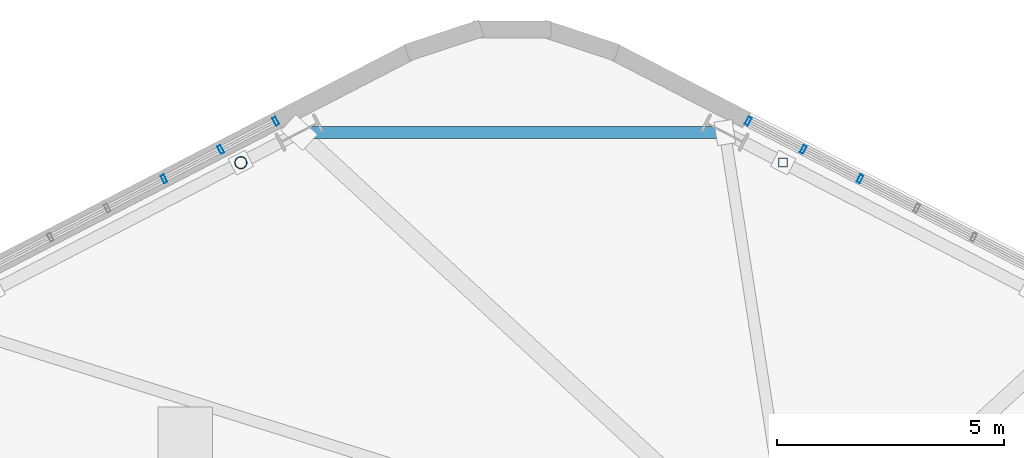
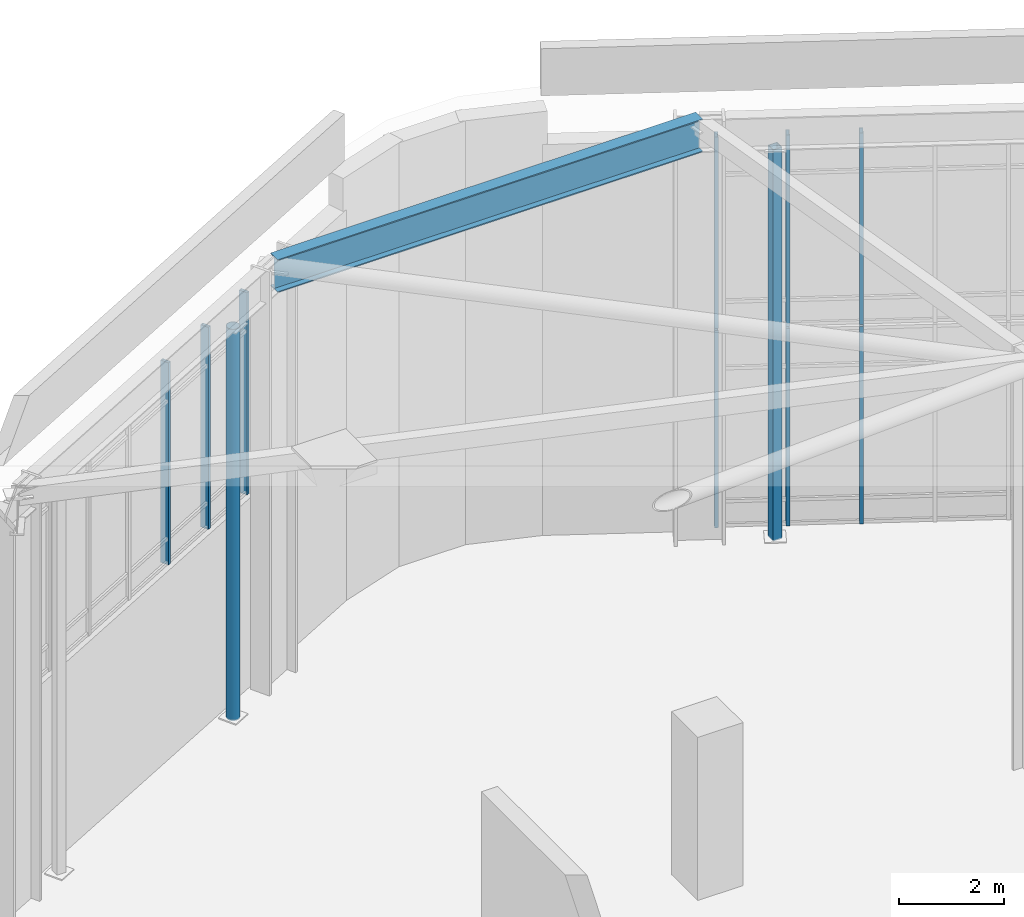
# One storey, part 18 of 23: 11 members, 1 beam, 3 elements without a shape of their own.
"""IFC4 building model written with IfcOpenShell, lengths in metres."""

import ifcopenshell
import ifcopenshell.guid

model = None  # the IFC model being written
_history = None  # IfcOwnerHistory: only IFC2X3 demands one
_inside = {}  # id of a spatial element -> (the spatial element, [elements in it])
_under = {}  # id of a project, library or spatial element -> (it, [spatial elements below it])
_declared = {}  # id of a project -> (the project, [libraries it declares])
_typed = {}  # id of a type object -> (the type object, [elements of that type])
_made_of = {}  # id of a material, layer set ... -> (it, [elements and type objects made of it])


def new_model(schema):
    """Start an empty IFC model of exactly this schema.

    Asked for "IFC4X3", IfcOpenShell would pick the latest addendum, in which some entities
    have other attributes; the version numbers below select the first issue.
    IFC2X3 requires an IfcOwnerHistory on every rooted entity: one is made here for all.
    """
    global model, _history
    if schema == "IFC4X3":
        model = ifcopenshell.file(schema_version=(4, 3, 0, 0))
    else:
        model = ifcopenshell.file(schema=schema)
    _inside.clear()
    _under.clear()
    _declared.clear()
    _typed.clear()
    _made_of.clear()
    _history = None
    if model.schema == "IFC2X3":
        org = make("IfcOrganization", Name="unknown")
        user = make(
            "IfcPersonAndOrganization",
            ThePerson=make("IfcPerson", FamilyName="unknown"),
            TheOrganization=org,
        )
        app = make(
            "IfcApplication",
            ApplicationDeveloper=org,
            Version="unknown",
            ApplicationFullName="unknown",
            ApplicationIdentifier="unknown",
        )
        _history = make(
            "IfcOwnerHistory",
            OwningUser=user,
            OwningApplication=app,
            ChangeAction="ADDED",
            CreationDate=0,
        )
    return model


def make(cls, **values):
    """One entity of the class cls with the attributes given. An attribute that is None is left unset."""
    return model.create_entity(
        cls, **{name: value for name, value in values.items() if value is not None}
    )


def rooted(cls, **values):
    """An entity with a GlobalId (a new one), such as an element, a storey or a relation."""
    return make(cls, GlobalId=ifcopenshell.guid.new(), OwnerHistory=_history, **values)


def si_unit(unit_type, name, prefix=None):
    """IfcSIUnit, for example si_unit("LENGTHUNIT", "METRE", prefix="MILLI")."""
    return make("IfcSIUnit", UnitType=unit_type, Prefix=prefix, Name=name)


def assignment(units):
    """IfcUnitAssignment: the units of a project."""
    return None if units is None else make("IfcUnitAssignment", Units=units)


def point(xyz):
    """IfcCartesianPoint."""
    return None if xyz is None else make("IfcCartesianPoint", Coordinates=xyz)


def direction(xyz):
    """IfcDirection."""
    return None if xyz is None else make("IfcDirection", DirectionRatios=xyz)


def frame(location, z_axis=None, x_axis=None):
    """IfcAxis2Placement3D, a coordinate frame: its origin and axes. An axis left out is left unset."""
    return make(
        "IfcAxis2Placement3D",
        Location=point(location),
        Axis=direction(z_axis),
        RefDirection=direction(x_axis),
    )


def frame_2d(location, x_axis=None):
    """IfcAxis2Placement2D, a coordinate frame in the plane: its origin and x axis."""
    return make(
        "IfcAxis2Placement2D", Location=point(location), RefDirection=direction(x_axis)
    )


def origin():
    """The frame at (0, 0, 0) with its axes left unset."""
    return frame((0.0, 0.0, 0.0))


def origin_2d():
    """The frame at (0, 0) in the plane with its x axis left unset."""
    return frame_2d((0.0, 0.0))


def place(relative_to, where):
    """IfcLocalPlacement: puts the frame where relative to a parent placement (None: the world)."""
    return make(
        "IfcLocalPlacement", PlacementRelTo=relative_to, RelativePlacement=where
    )


def context(
    kind, dimensions, precision=None, world=None, true_north=None, identifier=None
):
    """IfcGeometricRepresentationContext, for example the 3D "Model" context."""
    return make(
        "IfcGeometricRepresentationContext",
        ContextIdentifier=identifier,
        ContextType=kind,
        CoordinateSpaceDimension=dimensions,
        Precision=precision,
        WorldCoordinateSystem=world,
        TrueNorth=true_north,
    )


def subcontext(parent, identifier, kind, view, scale=None):
    """IfcGeometricRepresentationSubContext, for example "Body" below "Model"."""
    return make(
        "IfcGeometricRepresentationSubContext",
        ContextIdentifier=identifier,
        ContextType=kind,
        ParentContext=parent,
        TargetScale=scale,
        TargetView=view,
    )


def project(units=None, contexts=None):
    """IfcProject with its units and contexts."""
    return rooted(
        "IfcProject",
        Name="project",
        RepresentationContexts=contexts,
        UnitsInContext=assignment(units),
    )


def spatial(cls, under=None, at=None, **own):
    """A site, building, storey or space (cls), placed at a placement, below another one or the project."""
    s = rooted(cls, ObjectPlacement=at, **own)
    if under is not None:
        _under.setdefault(under.id(), (under, []))[1].append(s)
    return s


def profile(cls, at=None, kind="AREA", **sizes):
    """A parametric profile (cls). Its sizes go by their IFC names, for example OverallWidth=200.0."""
    return make(cls, ProfileType=kind, Position=at, **sizes)


def hollow_rectangle(**sizes):
    """IfcRectangleHollowProfileDef."""
    return profile("IfcRectangleHollowProfileDef", **sizes)


def hollow_circle(**sizes):
    """IfcCircleHollowProfileDef."""
    return profile("IfcCircleHollowProfileDef", **sizes)


def i_section(**sizes):
    """IfcIShapeProfileDef."""
    return profile("IfcIShapeProfileDef", **sizes)


def extrude(swept, where, along, depth):
    """IfcExtrudedAreaSolid: the profile swept, set in the frame where, extruded along a direction by depth."""
    return make(
        "IfcExtrudedAreaSolid",
        SweptArea=swept,
        Position=where,
        ExtrudedDirection=direction(along),
        Depth=depth,
    )


def shape(context_of_items, identifier, shape_type, items):
    """IfcShapeRepresentation: the items that make up one representation, for example the "Body"."""
    return make(
        "IfcShapeRepresentation",
        ContextOfItems=context_of_items,
        RepresentationIdentifier=identifier,
        RepresentationType=shape_type,
        Items=items,
    )


def material(Name=None, Category=None):
    """IfcMaterial."""
    return make("IfcMaterial", Name=Name, Category=Category)


def layer(
    of_material, thickness, ventilated=None, Name=None, Category=None, Priority=None
):
    """IfcMaterialLayer: one layer of a wall or slab, of a material (None: an air gap)."""
    return make(
        "IfcMaterialLayer",
        Material=of_material,
        LayerThickness=thickness,
        IsVentilated=ventilated,
        Name=Name,
        Category=Category,
        Priority=Priority,
    )


def layer_set(layers, Name=None):
    """IfcMaterialLayerSet."""
    return make("IfcMaterialLayerSet", MaterialLayers=layers, LayerSetName=Name)


def material_profile(
    of_material, cross_section, Name=None, Category=None, Priority=None
):
    """IfcMaterialProfile: a cross section and its material."""
    return make(
        "IfcMaterialProfile",
        Name=Name,
        Material=of_material,
        Profile=cross_section,
        Priority=Priority,
        Category=Category,
    )


def profile_set(profiles, Name=None, composite=None):
    """IfcMaterialProfileSet."""
    return make(
        "IfcMaterialProfileSet",
        Name=Name,
        MaterialProfiles=profiles,
        CompositeProfile=composite,
    )


def made_of(thing, what):
    """Note that an element or type object is made of a material, layer set ...; save() writes the relation."""
    if what is not None:
        _made_of.setdefault(what.id(), (what, []))[1].append(thing)
    return thing


def type_object(cls, material=None, **own):
    """A type object (cls), such as IfcWallType, which elements share."""
    return made_of(rooted(cls, **own), material)


def element(
    cls,
    number,
    at=None,
    inside=None,
    cuts=None,
    type_object=None,
    material=None,
    context=None,
    identifier="Body",
    shape_type=None,
    held_by="IfcProductDefinitionShape",
    body=None,
    shapes=None,
    **own,
):
    """One element of the class cls, such as IfcWall. Its Tag is "e" and its number.

    at: its placement. inside: the storey or other place that contains it. cuts: it is an
    opening in that element (IfcRelVoidsElement). A single representation is given by context,
    identifier, shape_type and body (its items); several are given by shapes. held_by: the class
    of the entity that holds the representations. save() writes the other relations.
    """
    e = rooted(cls, Tag="e%d" % number, ObjectPlacement=at, **own)
    if body is not None:
        shapes = [shape(context, identifier, shape_type, body)]
    if shapes is not None:
        e.Representation = make(held_by, Representations=shapes)
    if inside is not None:
        _inside.setdefault(inside.id(), (inside, []))[1].append(e)
    if cuts is not None:
        rooted(
            "IfcRelVoidsElement", RelatingBuildingElement=cuts, RelatedOpeningElement=e
        )
    if type_object is not None:
        _typed.setdefault(type_object.id(), (type_object, []))[1].append(e)
    return made_of(e, material)


def aggregate(whole, parts):
    """IfcRelAggregates: a whole, such as a stair, and the parts it consists of."""
    return rooted("IfcRelAggregates", RelatingObject=whole, RelatedObjects=parts)


def save(model, path):
    """Write the relations noted so far, then the file.

    IfcRelAggregates (storeys below a building ...), IfcRelContainedInSpatialStructure (elements
    in a storey), IfcRelDefinesByType, IfcRelAssociatesMaterial and IfcRelDeclares: one each for
    every whole, place, type object, material and project.
    """
    for whole, parts in _under.values():
        aggregate(whole, parts)
    for where, things in _inside.values():
        rooted(
            "IfcRelContainedInSpatialStructure",
            RelatedElements=things,
            RelatingStructure=where,
        )
    for kind, things in _typed.values():
        rooted("IfcRelDefinesByType", RelatedObjects=things, RelatingType=kind)
    for what, things in _made_of.values():
        rooted("IfcRelAssociatesMaterial", RelatedObjects=things, RelatingMaterial=what)
    for by, libraries in _declared.values():
        rooted("IfcRelDeclares", RelatingContext=by, RelatedDefinitions=libraries)
    model.write(path)


model = new_model("IFC4")

# Units and contexts
model_context = context("Model", 3, precision=1e-05, world=origin(), true_north=direction((0.0, 1.0)))
body_context = subcontext(model_context, "Body", "Model", "MODEL_VIEW")
ifc_project = project(units=[si_unit("LENGTHUNIT", "METRE"), si_unit("AREAUNIT", "SQUARE_METRE"), si_unit("VOLUMEUNIT", "CUBIC_METRE"), si_unit("PLANEANGLEUNIT", "RADIAN"), si_unit("MASSUNIT", "GRAM", prefix="KILO"), si_unit("THERMODYNAMICTEMPERATUREUNIT", "KELVIN"), si_unit("POWERUNIT", "WATT")], contexts=[model_context])

# Site, building, storey
site_placement = place(None, origin())
site = spatial("IfcSite", under=ifc_project, at=site_placement, CompositionType="ELEMENT")
building_placement = place(site_placement, origin())
building = spatial("IfcBuilding", under=site, at=building_placement, Name="Skarre Station Tower", CompositionType="ELEMENT")
storey_placement = place(building_placement, frame((0.0, 0.0, 291.300048828125)))
storey = spatial("IfcBuildingStorey", under=building, at=storey_placement, Name="RF", CompositionType="ELEMENT", Elevation=291.300048828125)

# Curtain wall, members
ifc_material_1 = material(Name="Thermally Broken Bronze-Anodized Aluminium & Triple Low-E Glass", Category="aluminium")
ifc_layer = layer(ifc_material_1, 0.179931640625, Name="Thermally Broken Bronze-Anodized Aluminium & Triple Low-E Glass")
ifc_layer_set = layer_set([ifc_layer], Name="Thermally Broken Bronze-Anodized Aluminium & Triple Low-E Glass")
curtain_wall_type = type_object("IfcCurtainWallType", Name="Nordic Bronze Crown Lantern Stick Curtain Wall", PredefinedType="NOTDEFINED", material=ifc_layer_set)
curtain_wall_1_placement = place(storey_placement, origin())
curtain_wall_1 = element("IfcCurtainWall", 1, at=curtain_wall_1_placement, inside=storey, type_object=curtain_wall_type, Name="RF Crown Lantern Lower Facet 0 Curtain Wall", PredefinedType="NOTDEFINED")
ifc_material_2 = material(Name="Anodized Aluminium 6063-T6", Category="aluminium")
ifc_material_profile_1 = material_profile(ifc_material_2, hollow_rectangle(XDim=0.074951171875, YDim=0.179931640625, WallThickness=0.00390625, at=origin_2d()), Name="Anodized Aluminium 6063-T6")
ifc_profile_set_1 = profile_set([ifc_material_profile_1], Name="Anodized Aluminium 6063-T6")
member_type_1 = type_object("IfcMemberType", Name="Curtain-Wall Unitised Tower Mullion 180x75", PredefinedType="MULLION", material=ifc_profile_set_1)
member_1_placement = place(storey_placement, frame((38.404052734375, 39.698974609375, 0.0), z_axis=(0.0, 0.0, 1.0), x_axis=(0.888649250269, -0.458587516181, 0.0)))
member_1 = element("IfcMember", 2, at=member_1_placement, type_object=member_type_1, Name="RF Crown Lantern Lower Facet 0 Curtain Wall Mullion 1", PredefinedType="MULLION", context=body_context, shape_type="SweptSolid", body=[
    extrude(hollow_rectangle(XDim=0.074951171875, YDim=0.179931640625, WallThickness=0.00390625, at=origin_2d()), origin(), (0.0, 0.0, 1.0), 4.599853515625),
])
member_2_placement = place(storey_placement, frame((39.618896484375, 39.072021484375, 0.0), z_axis=(0.0, 0.0, 1.0), x_axis=(0.888649250269, -0.458587516181, 0.0)))
member_2 = element("IfcMember", 3, at=member_2_placement, type_object=member_type_1, Name="RF Crown Lantern Lower Facet 0 Curtain Wall Mullion 2", PredefinedType="MULLION", context=body_context, shape_type="SweptSolid", body=[
    extrude(hollow_rectangle(XDim=0.074951171875, YDim=0.179931640625, WallThickness=0.00390625, at=origin_2d()), origin(), (0.0, 0.0, 1.0), 4.599853515625),
])
member_3_placement = place(storey_placement, frame((40.868896484375, 38.426025390625, 0.0), z_axis=(0.0, 0.0, 1.0), x_axis=(0.888649250269, -0.458587516181, 0.0)))
member_3 = element("IfcMember", 4, at=member_3_placement, type_object=member_type_1, Name="RF Crown Lantern Lower Facet 0 Curtain Wall Mullion 3", PredefinedType="MULLION", context=body_context, shape_type="SweptSolid", body=[
    extrude(hollow_rectangle(XDim=0.074951171875, YDim=0.179931640625, WallThickness=0.00390625, at=origin_2d()), origin(), (0.0, 0.0, 1.0), 4.599853515625),
])
aggregate(curtain_wall_1, [member_1, member_2, member_3])

curtain_wall_2_placement = place(storey_placement, origin())
curtain_wall_2 = element("IfcCurtainWall", 5, at=curtain_wall_2_placement, inside=storey, type_object=curtain_wall_type, Name="RF Crown Lantern Upper Facet 0 Curtain Wall", PredefinedType="NOTDEFINED")
member_4_placement = place(storey_placement, frame((38.404052734375, 39.698974609375, 4.64990234375), z_axis=(0.0, 0.0, 1.0), x_axis=(0.888649250269, -0.458587516181, 0.0)))
member_4 = element("IfcMember", 6, at=member_4_placement, type_object=member_type_1, Name="RF Crown Lantern Upper Facet 0 Curtain Wall Mullion 1", PredefinedType="MULLION", context=body_context, shape_type="SweptSolid", body=[
    extrude(hollow_rectangle(XDim=0.074951171875, YDim=0.179931640625, WallThickness=0.00390625, at=origin_2d()), origin(), (0.0, 0.0, 1.0), 4.4599609375),
])
member_5_placement = place(storey_placement, frame((39.618896484375, 39.072021484375, 4.64990234375), z_axis=(0.0, 0.0, 1.0), x_axis=(0.888649250269, -0.458587516181, 0.0)))
member_5 = element("IfcMember", 7, at=member_5_placement, type_object=member_type_1, Name="RF Crown Lantern Upper Facet 0 Curtain Wall Mullion 2", PredefinedType="MULLION", context=body_context, shape_type="SweptSolid", body=[
    extrude(hollow_rectangle(XDim=0.074951171875, YDim=0.179931640625, WallThickness=0.00390625, at=origin_2d()), origin(), (0.0, 0.0, 1.0), 4.4599609375),
])
member_6_placement = place(storey_placement, frame((40.868896484375, 38.426025390625, 4.64990234375), z_axis=(0.0, 0.0, 1.0), x_axis=(0.888649250269, -0.458587516181, 0.0)))
member_6 = element("IfcMember", 8, at=member_6_placement, type_object=member_type_1, Name="RF Crown Lantern Upper Facet 0 Curtain Wall Mullion 3", PredefinedType="MULLION", context=body_context, shape_type="SweptSolid", body=[
    extrude(hollow_rectangle(XDim=0.074951171875, YDim=0.179931640625, WallThickness=0.00390625, at=origin_2d()), origin(), (0.0, 0.0, 1.0), 4.4599609375),
])
aggregate(curtain_wall_2, [member_4, member_5, member_6])

curtain_wall_3_placement = place(storey_placement, origin())
curtain_wall_3 = element("IfcCurtainWall", 9, at=curtain_wall_3_placement, inside=storey, type_object=curtain_wall_type, Name="RF Crown Lantern Facet 1 Curtain Wall", PredefinedType="NOTDEFINED")
member_7_placement = place(storey_placement, frame((25.531005859375, 38.426025390625, 4.39990234375), z_axis=(0.0, 0.0, 1.0), x_axis=(0.888649250269, 0.458587516181, 0.0)))
member_7 = element("IfcMember", 10, at=member_7_placement, type_object=member_type_1, Name="RF Crown Lantern Facet 1 Curtain Wall Mullion 5", PredefinedType="MULLION", context=body_context, shape_type="SweptSolid", body=[
    extrude(hollow_rectangle(XDim=0.074951171875, YDim=0.179931640625, WallThickness=0.00390625, at=origin_2d()), origin(), (0.0, 0.0, 1.0), 4.7099609375),
])
member_8_placement = place(storey_placement, frame((26.781982421875, 39.072021484375, 4.39990234375), z_axis=(0.0, 0.0, 1.0), x_axis=(0.888649250269, 0.458587516181, 0.0)))
member_8 = element("IfcMember", 11, at=member_8_placement, type_object=member_type_1, Name="RF Crown Lantern Facet 1 Curtain Wall Mullion 6", PredefinedType="MULLION", context=body_context, shape_type="SweptSolid", body=[
    extrude(hollow_rectangle(XDim=0.074951171875, YDim=0.179931640625, WallThickness=0.00390625, at=origin_2d()), origin(), (0.0, 0.0, 1.0), 4.7099609375),
])
member_9_placement = place(storey_placement, frame((27.99609375, 39.698974609375, 4.39990234375), z_axis=(0.0, 0.0, 1.0), x_axis=(0.888649250269, 0.458587516181, 0.0)))
member_9 = element("IfcMember", 12, at=member_9_placement, type_object=member_type_1, Name="RF Crown Lantern Facet 1 Curtain Wall Mullion 7", PredefinedType="MULLION", context=body_context, shape_type="SweptSolid", body=[
    extrude(hollow_rectangle(XDim=0.074951171875, YDim=0.179931640625, WallThickness=0.00390625, at=origin_2d()), origin(), (0.0, 0.0, 1.0), 4.7099609375),
])
aggregate(curtain_wall_3, [member_7, member_8, member_9])

# Beam
ifc_material_3 = material(Name="Steel ASTM A992 Grade 50", Category="steel")
ifc_material_profile_2 = material_profile(ifc_material_3, i_section(OverallWidth=0.26806640625, OverallDepth=0.77001953125, WebThickness=0.01611328125, FlangeThickness=0.02490234375, at=origin_2d()), Name="Steel ASTM A992 Grade 50")
ifc_profile_set_2 = profile_set([ifc_material_profile_2], Name="Steel ASTM A992 Grade 50")
beam_type = type_object("IfcBeamType", Name="Steel Beam W30X132", PredefinedType="BEAM", material=ifc_profile_set_2)
beam_placement = place(storey_placement, frame((37.888916015625, 39.447021484375, 9.494873046875), z_axis=(-1.0, 0.0, 0.0), x_axis=(0.0, -1.0, 0.0)))
element("IfcBeam", 13, at=beam_placement, inside=storey, type_object=beam_type, Name="RF Crown Lantern Cap Ring Beam 2", PredefinedType="BEAM", context=body_context, shape_type="SweptSolid", body=[
    extrude(i_section(OverallWidth=0.26806640625, OverallDepth=0.77001953125, WebThickness=0.01611328125, FlangeThickness=0.02490234375, at=origin_2d()), origin(), (0.0, 0.0, 1.0), 9.3779296875),
])

# Members
ifc_material_4 = material(Name="Steel ASTM A500 Grade C", Category="steel")
ifc_material_profile_3 = material_profile(ifc_material_4, hollow_circle(Radius=0.136474609375, WallThickness=0.011962890625, at=origin_2d()), Name="Steel ASTM A500 Grade C")
ifc_profile_set_3 = profile_set([ifc_material_profile_3], Name="Steel ASTM A500 Grade C")
member_type_2 = type_object("IfcMemberType", Name="Steel Truss Strut CHS273X12", PredefinedType="STRUT", material=ifc_profile_set_3)
member_10_placement = place(storey_placement, frame((27.22509765625, 38.782958984375, 0.0), z_axis=(0.0, 0.0, 1.0), x_axis=(1.0, 0.0, 0.0)))
element("IfcMember", 14, at=member_10_placement, inside=storey, type_object=member_type_2, Name="RF Crown Pier Post 3A", PredefinedType="STRUT", context=body_context, shape_type="SweptSolid", body=[
    extrude(hollow_circle(Radius=0.136474609375, WallThickness=0.011962890625, at=origin_2d()), origin(), (0.0, 0.0, 1.0), 9.119873046875),
])
ifc_material_profile_4 = material_profile(ifc_material_4, hollow_rectangle(XDim=0.199951171875, YDim=0.199951171875, WallThickness=0.011962890625, at=origin_2d()), Name="Steel ASTM A500 Grade C")
ifc_profile_set_4 = profile_set([ifc_material_profile_4], Name="Steel ASTM A500 Grade C")
member_type_3 = type_object("IfcMemberType", Name="Steel Truss Strut HSS200X200X12", PredefinedType="STRUT", material=ifc_profile_set_4)
member_11_placement = place(storey_placement, frame((39.175048828125, 38.782958984375, 0.0), z_axis=(0.0, 0.0, 1.0), x_axis=(1.0, 0.0, 0.0)))
element("IfcMember", 15, at=member_11_placement, inside=storey, type_object=member_type_3, Name="RF Crown Pier Post 1B", PredefinedType="STRUT", context=body_context, shape_type="SweptSolid", body=[
    extrude(hollow_rectangle(XDim=0.199951171875, YDim=0.199951171875, WallThickness=0.011962890625, at=origin_2d()), origin(), (0.0, 0.0, 1.0), 9.119873046875),
])

save(model, "model.ifc")
